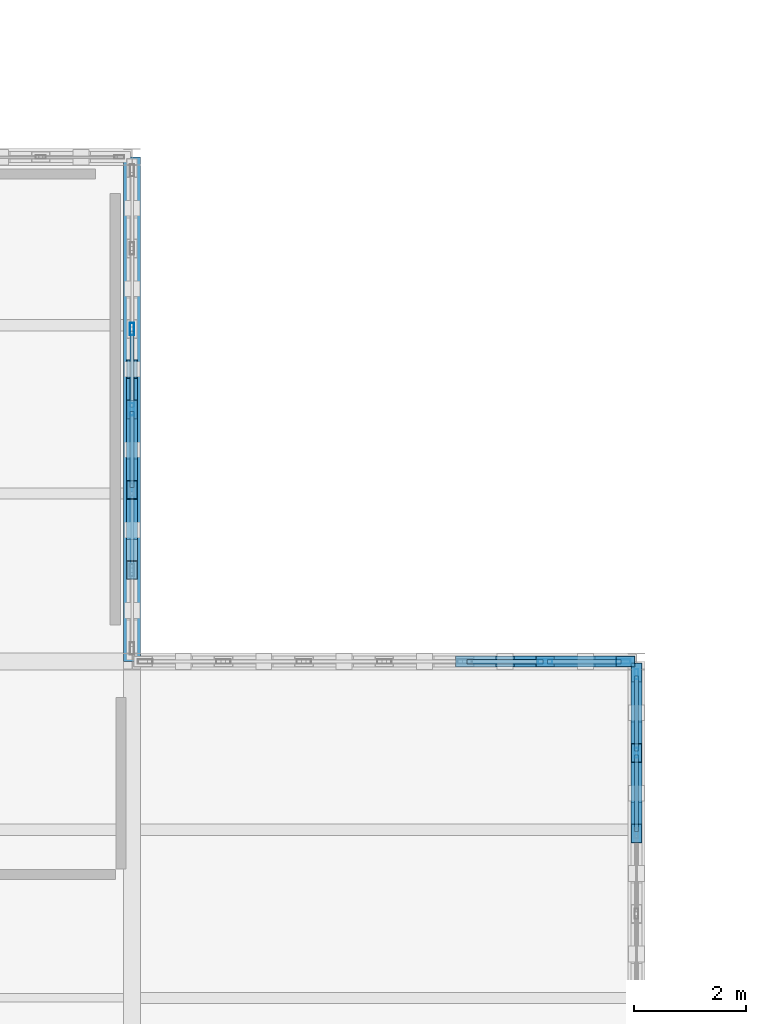
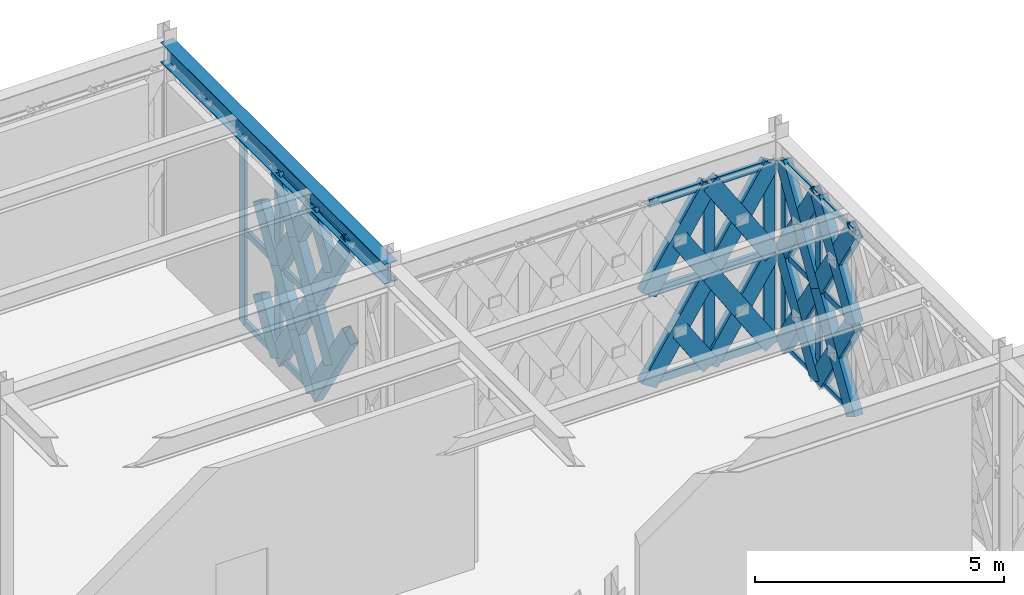
# One storey, part 113 of 155: 58 members, 1 beam, 3 elements without a shape of their own.
"""IFC4 building model written with IfcOpenShell, lengths in metres."""

from ifc_helpers import new_model, si_unit, direction, frame, origin, origin_2d, place, context, subcontext, project, spatial, hollow_rectangle, i_section, extrude, material, material_profile, profile_set, type_object, element, aggregate, save


model = new_model("IFC4")

# Units and contexts
model_context = context("Model", 3, precision=1e-05, world=origin(), true_north=direction((0.0, 1.0)))
body_context = subcontext(model_context, "Body", "Model", "MODEL_VIEW")
ifc_project = project(units=[si_unit("LENGTHUNIT", "METRE"), si_unit("AREAUNIT", "SQUARE_METRE"), si_unit("VOLUMEUNIT", "CUBIC_METRE"), si_unit("PLANEANGLEUNIT", "RADIAN"), si_unit("MASSUNIT", "GRAM", prefix="KILO")], contexts=[model_context])

# Site, building, storey
site_placement = place(None, origin())
site = spatial("IfcSite", under=ifc_project, at=site_placement, CompositionType="ELEMENT")
building_placement = place(site_placement, origin())
building = spatial("IfcBuilding", under=site, at=building_placement, Name="Haizhuo Lancet Aquarium", CompositionType="ELEMENT")
storey_placement = place(building_placement, frame((0.0, 0.0, 10.800048828125)))
storey = spatial("IfcBuildingStorey", under=building, at=storey_placement, Name="L02", CompositionType="ELEMENT", Elevation=10.800048828125)

# Beam
ifc_material_1 = material(Name="Steel S355", Category="steel")
ifc_material_profile_1 = material_profile(ifc_material_1, i_section(OverallWidth=0.300048828125, OverallDepth=0.488037109375, WebThickness=0.010986328125, FlangeThickness=0.01806640625, FilletRadius=0.02392578125, at=origin_2d()), Name="HM 488x300x11x18")
ifc_profile_set_1 = profile_set([ifc_material_profile_1], Name="Steel S355")
beam_type = type_object("IfcBeamType", Name="BM-ST-HM488", PredefinedType="BEAM", material=ifc_profile_set_1)
beam_placement = place(storey_placement, frame((63.0, 27.0, 4.805908203125), z_axis=(0.0, 1.0, 0.0), x_axis=(-1.0, 0.0, 0.0)))
element("IfcBeam", 1, at=beam_placement, inside=storey, type_object=beam_type, Name="L02 V7 primary girder BM-L02-V7-025", PredefinedType="BEAM", context=body_context, shape_type="SweptSolid", body=[
    extrude(i_section(OverallWidth=0.300048828125, OverallDepth=0.488037109375, WebThickness=0.010986328125, FlangeThickness=0.01806640625, FilletRadius=0.02392578125, at=origin_2d()), origin(), (0.0, 0.0, 1.0), 9.0),
])

# Curtain wall, members
ifc_material_2 = material(Name="Aluminium 6063-T6", Category="aluminium")
curtain_wall_type_1 = type_object("IfcCurtainWallType", Name="CWD-8610x4560", PredefinedType="NOTDEFINED", material=ifc_material_2)
curtain_wall_1_placement = place(storey_placement, origin())
curtain_wall_1 = element("IfcCurtainWall", 2, at=curtain_wall_1_placement, inside=storey, type_object=curtain_wall_type_1, Name="L02 curtain wall CW-V7-L02-301", PredefinedType="NOTDEFINED")
ifc_material_profile_2 = material_profile(ifc_material_2, hollow_rectangle(XDim=0.06494140625, YDim=0.179931640625, WallThickness=0.00390625, at=origin_2d()), Name="ALU-M 65x180x4")
ifc_profile_set_2 = profile_set([ifc_material_profile_2], Name="Aluminium 6063-T6")
member_type_1 = type_object("IfcMemberType", Name="CW-MUL-1", PredefinedType="MULLION", material=ifc_profile_set_2)
member_1_placement = place(storey_placement, frame((72.0, 26.77294921875, 0.0), z_axis=(0.0, 0.0, 1.0), x_axis=(1.0, 0.0, 0.0)))
member_1 = element("IfcMember", 3, at=member_1_placement, type_object=member_type_1, Name="CWD-86x45 mullion 1", PredefinedType="MULLION", context=body_context, shape_type="SweptSolid", body=[
    extrude(hollow_rectangle(XDim=0.06494140625, YDim=0.179931640625, WallThickness=0.00390625, at=origin_2d()), origin(), (0.0, 0.0, 1.0), 4.56201171875),
])
member_2_placement = place(storey_placement, frame((72.0, 25.3701171875, 0.0), z_axis=(0.0, 0.0, 1.0), x_axis=(1.0, 0.0, 0.0)))
member_2 = element("IfcMember", 4, at=member_2_placement, type_object=member_type_1, Name="CWD-86x45 mullion 2", PredefinedType="MULLION", context=body_context, shape_type="SweptSolid", body=[
    extrude(hollow_rectangle(XDim=0.06494140625, YDim=0.179931640625, WallThickness=0.00390625, at=origin_2d()), origin(), (0.0, 0.0, 1.0), 4.56201171875),
])

curtain_wall_2_placement = place(storey_placement, origin())
curtain_wall_2 = element("IfcCurtainWall", 5, at=curtain_wall_2_placement, inside=storey, type_object=curtain_wall_type_1, Name="L02 curtain wall CW-V7-L02-299", PredefinedType="NOTDEFINED")
ifc_material_profile_3 = material_profile(ifc_material_2, hollow_rectangle(XDim=0.074951171875, YDim=0.219970703125, WallThickness=0.0048828125, at=origin_2d()), Name="ALU-M 75x220x5")
ifc_profile_set_3 = profile_set([ifc_material_profile_3], Name="Aluminium 6063-T6")
member_type_2 = type_object("IfcMemberType", Name="CW-MUL-2", PredefinedType="MULLION", material=ifc_profile_set_3)
member_3_placement = place(storey_placement, frame((63.0, 32.93505859375, 0.0), z_axis=(0.0, 0.0, 1.0), x_axis=(1.0, 0.0, 0.0)))
member_3 = element("IfcMember", 6, at=member_3_placement, type_object=member_type_2, Name="CWD-86x45 mullion 3", PredefinedType="MULLION", context=body_context, shape_type="SweptSolid", body=[
    extrude(hollow_rectangle(XDim=0.074951171875, YDim=0.219970703125, WallThickness=0.0048828125, at=origin_2d()), origin(), (0.0, 0.0, 1.0), 4.56201171875),
])
member_4_placement = place(storey_placement, frame((63.0, 31.5, 0.0), z_axis=(0.0, 0.0, 1.0), x_axis=(1.0, 0.0, 0.0)))
member_4 = element("IfcMember", 7, at=member_4_placement, type_object=member_type_2, Name="CWD-86x45 mullion 4", PredefinedType="MULLION", context=body_context, shape_type="SweptSolid", body=[
    extrude(hollow_rectangle(XDim=0.074951171875, YDim=0.219970703125, WallThickness=0.0048828125, at=origin_2d()), origin(), (0.0, 0.0, 1.0), 4.56201171875),
])

curtain_wall_type_2 = type_object("IfcCurtainWallType", Name="CWD-8610x4460", PredefinedType="NOTDEFINED", material=ifc_material_2)
curtain_wall_3_placement = place(storey_placement, origin())
curtain_wall_3 = element("IfcCurtainWall", 8, at=curtain_wall_3_placement, inside=storey, type_object=curtain_wall_type_2, Name="L02 curtain wall CW-V7-L02-300", PredefinedType="NOTDEFINED")
ifc_material_profile_4 = material_profile(ifc_material_2, hollow_rectangle(XDim=0.080078125, YDim=0.260009765625, WallThickness=0.0048828125, at=origin_2d()), Name="ALU-M 80x260x5")
ifc_profile_set_4 = profile_set([ifc_material_profile_4], Name="Aluminium 6063-T6")
member_type_3 = type_object("IfcMemberType", Name="CW-MUL-3", PredefinedType="MULLION", material=ifc_profile_set_4)
member_5_placement = place(storey_placement, frame((70.3701171875, 27.0, 0.0), z_axis=(0.0, 0.0, 1.0), x_axis=(0.0, 1.0, 0.0)))
member_5 = element("IfcMember", 9, at=member_5_placement, type_object=member_type_3, Name="CWD-86x44 mullion 6", PredefinedType="MULLION", context=body_context, shape_type="SweptSolid", body=[
    extrude(hollow_rectangle(XDim=0.080078125, YDim=0.260009765625, WallThickness=0.0048828125, at=origin_2d()), origin(), (0.0, 0.0, 1.0), 4.4619140625),
])
member_6_placement = place(storey_placement, frame((71.764892578125, 27.0, 0.0), z_axis=(0.0, 0.0, 1.0), x_axis=(0.0, 1.0, 0.0)))
member_6 = element("IfcMember", 10, at=member_6_placement, type_object=member_type_3, Name="CWD-86x44 mullion 7", PredefinedType="MULLION", context=body_context, shape_type="SweptSolid", body=[
    extrude(hollow_rectangle(XDim=0.080078125, YDim=0.260009765625, WallThickness=0.0048828125, at=origin_2d()), origin(), (0.0, 0.0, 1.0), 4.4619140625),
])

# Member
ifc_material_profile_5 = material_profile(ifc_material_2, hollow_rectangle(XDim=0.06494140625, YDim=0.139892578125, WallThickness=0.00390625, at=origin_2d()), Name="ALU-T 65x140x4")
ifc_profile_set_5 = profile_set([ifc_material_profile_5], Name="Aluminium 6063-T6")
member_type_4 = type_object("IfcMemberType", Name="CW-TRN-1", PredefinedType="NOTDEFINED", material=ifc_profile_set_5)
member_7_placement = place(storey_placement, frame((72.0, 26.739990234375, 0.032958984375), z_axis=(0.0, -1.0, 0.0), x_axis=(1.0, 0.0, 0.0)))
member_7 = element("IfcMember", 11, at=member_7_placement, type_object=member_type_4, Name="CWD-86x45 transom 1.1", ObjectType="TRANSOM", PredefinedType="USERDEFINED", context=body_context, shape_type="SweptSolid", body=[
    extrude(hollow_rectangle(XDim=0.06494140625, YDim=0.139892578125, WallThickness=0.00390625, at=origin_2d()), origin(), (0.0, 0.0, 1.0), 1.337890625),
])

member_8_placement = place(storey_placement, frame((72.0, 26.739990234375, 2.281005859375), z_axis=(0.0, -1.0, 0.0), x_axis=(1.0, 0.0, 0.0)))
member_8 = element("IfcMember", 12, at=member_8_placement, type_object=member_type_4, Name="CWD-86x45 transom 1.2", ObjectType="TRANSOM", PredefinedType="USERDEFINED", context=body_context, shape_type="SweptSolid", body=[
    extrude(hollow_rectangle(XDim=0.06494140625, YDim=0.139892578125, WallThickness=0.00390625, at=origin_2d()), origin(), (0.0, 0.0, 1.0), 1.337890625),
])

member_9_placement = place(storey_placement, frame((72.0, 26.739990234375, 4.529052734375), z_axis=(0.0, -1.0, 0.0), x_axis=(1.0, 0.0, 0.0)))
member_9 = element("IfcMember", 13, at=member_9_placement, type_object=member_type_4, Name="CWD-86x45 transom 1.3", ObjectType="TRANSOM", PredefinedType="USERDEFINED", context=body_context, shape_type="SweptSolid", body=[
    extrude(hollow_rectangle(XDim=0.06494140625, YDim=0.139892578125, WallThickness=0.00390625, at=origin_2d()), origin(), (0.0, 0.0, 1.0), 1.337890625),
])

member_10_placement = place(storey_placement, frame((72.0, 25.3369140625, 0.032958984375), z_axis=(0.0, -1.0, 0.0), x_axis=(1.0, 0.0, 0.0)))
member_10 = element("IfcMember", 14, at=member_10_placement, type_object=member_type_4, Name="CWD-86x45 transom 2.1", ObjectType="TRANSOM", PredefinedType="USERDEFINED", context=body_context, shape_type="SweptSolid", body=[
    extrude(hollow_rectangle(XDim=0.06494140625, YDim=0.139892578125, WallThickness=0.00390625, at=origin_2d()), origin(), (0.0, 0.0, 1.0), 1.368896484375),
])

member_11_placement = place(storey_placement, frame((72.0, 25.3369140625, 2.281005859375), z_axis=(0.0, -1.0, 0.0), x_axis=(1.0, 0.0, 0.0)))
member_11 = element("IfcMember", 15, at=member_11_placement, type_object=member_type_4, Name="CWD-86x45 transom 2.2", ObjectType="TRANSOM", PredefinedType="USERDEFINED", context=body_context, shape_type="SweptSolid", body=[
    extrude(hollow_rectangle(XDim=0.06494140625, YDim=0.139892578125, WallThickness=0.00390625, at=origin_2d()), origin(), (0.0, 0.0, 1.0), 1.368896484375),
])

member_12_placement = place(storey_placement, frame((72.0, 25.3369140625, 4.529052734375), z_axis=(0.0, -1.0, 0.0), x_axis=(1.0, 0.0, 0.0)))
member_12 = element("IfcMember", 16, at=member_12_placement, type_object=member_type_4, Name="CWD-86x45 transom 2.3", ObjectType="TRANSOM", PredefinedType="USERDEFINED", context=body_context, shape_type="SweptSolid", body=[
    extrude(hollow_rectangle(XDim=0.06494140625, YDim=0.139892578125, WallThickness=0.00390625, at=origin_2d()), origin(), (0.0, 0.0, 1.0), 1.368896484375),
])

aggregate(curtain_wall_1, [member_1, member_2, member_7, member_8, member_9, member_10, member_11, member_12])

ifc_material_profile_6 = material_profile(ifc_material_2, hollow_rectangle(XDim=0.074951171875, YDim=0.159912109375, WallThickness=0.00390625, at=origin_2d()), Name="ALU-T 75x160x4")
ifc_profile_set_6 = profile_set([ifc_material_profile_6], Name="Aluminium 6063-T6")
member_type_5 = type_object("IfcMemberType", Name="CW-TRN-2", PredefinedType="NOTDEFINED", material=ifc_profile_set_6)
member_13_placement = place(storey_placement, frame((63.0, 32.89794921875, 0.037841796875), z_axis=(0.0, -1.0, 0.0), x_axis=(1.0, 0.0, 0.0)))
member_13 = element("IfcMember", 17, at=member_13_placement, type_object=member_type_5, Name="CWD-86x45 transom 3.1", ObjectType="TRANSOM", PredefinedType="USERDEFINED", context=body_context, shape_type="SweptSolid", body=[
    extrude(hollow_rectangle(XDim=0.074951171875, YDim=0.159912109375, WallThickness=0.00390625, at=origin_2d()), origin(), (0.0, 0.0, 1.0), 1.35986328125),
])

member_14_placement = place(storey_placement, frame((63.0, 32.89794921875, 2.281005859375), z_axis=(0.0, -1.0, 0.0), x_axis=(1.0, 0.0, 0.0)))
member_14 = element("IfcMember", 18, at=member_14_placement, type_object=member_type_5, Name="CWD-86x45 transom 3.2", ObjectType="TRANSOM", PredefinedType="USERDEFINED", context=body_context, shape_type="SweptSolid", body=[
    extrude(hollow_rectangle(XDim=0.074951171875, YDim=0.159912109375, WallThickness=0.00390625, at=origin_2d()), origin(), (0.0, 0.0, 1.0), 1.35986328125),
])

member_15_placement = place(storey_placement, frame((63.0, 31.4619140625, 0.037841796875), z_axis=(0.0, -1.0, 0.0), x_axis=(1.0, 0.0, 0.0)))
member_15 = element("IfcMember", 19, at=member_15_placement, type_object=member_type_5, Name="CWD-86x45 transom 4.1", ObjectType="TRANSOM", PredefinedType="USERDEFINED", context=body_context, shape_type="SweptSolid", body=[
    extrude(hollow_rectangle(XDim=0.074951171875, YDim=0.159912109375, WallThickness=0.00390625, at=origin_2d()), origin(), (0.0, 0.0, 1.0), 1.35986328125),
])

member_16_placement = place(storey_placement, frame((63.0, 31.4619140625, 2.281005859375), z_axis=(0.0, -1.0, 0.0), x_axis=(1.0, 0.0, 0.0)))
member_16 = element("IfcMember", 20, at=member_16_placement, type_object=member_type_5, Name="CWD-86x45 transom 4.2", ObjectType="TRANSOM", PredefinedType="USERDEFINED", context=body_context, shape_type="SweptSolid", body=[
    extrude(hollow_rectangle(XDim=0.074951171875, YDim=0.159912109375, WallThickness=0.00390625, at=origin_2d()), origin(), (0.0, 0.0, 1.0), 1.35986328125),
])

member_17_placement = place(storey_placement, frame((63.0, 31.4619140625, 4.52490234375), z_axis=(0.0, -1.0, 0.0), x_axis=(1.0, 0.0, 0.0)))
member_17 = element("IfcMember", 21, at=member_17_placement, type_object=member_type_5, Name="CWD-86x45 transom 4.3", ObjectType="TRANSOM", PredefinedType="USERDEFINED", context=body_context, shape_type="SweptSolid", body=[
    extrude(hollow_rectangle(XDim=0.074951171875, YDim=0.159912109375, WallThickness=0.00390625, at=origin_2d()), origin(), (0.0, 0.0, 1.0), 1.35986328125),
])

member_18_placement = place(storey_placement, frame((63.0, 30.027099609375, 4.52490234375), z_axis=(0.0, -1.0, 0.0), x_axis=(1.0, 0.0, 0.0)))
member_18 = element("IfcMember", 22, at=member_18_placement, type_object=member_type_5, Name="CWD-86x45 transom 5.3", ObjectType="TRANSOM", PredefinedType="USERDEFINED", context=body_context, shape_type="SweptSolid", body=[
    extrude(hollow_rectangle(XDim=0.074951171875, YDim=0.159912109375, WallThickness=0.00390625, at=origin_2d()), origin(), (0.0, 0.0, 1.0), 1.359130859375),
])

aggregate(curtain_wall_2, [member_3, member_4, member_13, member_14, member_15, member_16, member_17, member_18])

ifc_material_profile_7 = material_profile(ifc_material_2, hollow_rectangle(XDim=0.080078125, YDim=0.18994140625, WallThickness=0.0048828125, at=origin_2d()), Name="ALU-T 80x190x5")
ifc_profile_set_7 = profile_set([ifc_material_profile_7], Name="Aluminium 6063-T6")
member_type_6 = type_object("IfcMemberType", Name="CW-TRN-3", PredefinedType="NOTDEFINED", material=ifc_profile_set_7)
member_19_placement = place(storey_placement, frame((68.97509765625, 27.0, 0.0400390625), z_axis=(1.0, 0.0, 0.0), x_axis=(0.0, 1.0, 0.0)))
member_19 = element("IfcMember", 23, at=member_19_placement, type_object=member_type_6, Name="CWD-86x44 transom 5.1", ObjectType="TRANSOM", PredefinedType="USERDEFINED", context=body_context, shape_type="SweptSolid", body=[
    extrude(hollow_rectangle(XDim=0.080078125, YDim=0.18994140625, WallThickness=0.0048828125, at=origin_2d()), origin(), (0.0, 0.0, 1.0), 1.35498046875),
])

member_20_placement = place(storey_placement, frame((68.97509765625, 27.0, 2.23095703125), z_axis=(1.0, 0.0, 0.0), x_axis=(0.0, 1.0, 0.0)))
member_20 = element("IfcMember", 24, at=member_20_placement, type_object=member_type_6, Name="CWD-86x44 transom 5.2", ObjectType="TRANSOM", PredefinedType="USERDEFINED", context=body_context, shape_type="SweptSolid", body=[
    extrude(hollow_rectangle(XDim=0.080078125, YDim=0.18994140625, WallThickness=0.0048828125, at=origin_2d()), origin(), (0.0, 0.0, 1.0), 1.35498046875),
])

member_21_placement = place(storey_placement, frame((68.97509765625, 27.0, 4.421875), z_axis=(1.0, 0.0, 0.0), x_axis=(0.0, 1.0, 0.0)))
member_21 = element("IfcMember", 25, at=member_21_placement, type_object=member_type_6, Name="CWD-86x44 transom 5.3", ObjectType="TRANSOM", PredefinedType="USERDEFINED", context=body_context, shape_type="SweptSolid", body=[
    extrude(hollow_rectangle(XDim=0.080078125, YDim=0.18994140625, WallThickness=0.0048828125, at=origin_2d()), origin(), (0.0, 0.0, 1.0), 1.35498046875),
])

member_22_placement = place(storey_placement, frame((70.409912109375, 27.0, 0.0400390625), z_axis=(1.0, 0.0, 0.0), x_axis=(0.0, 1.0, 0.0)))
member_22 = element("IfcMember", 26, at=member_22_placement, type_object=member_type_6, Name="CWD-86x44 transom 6.1", ObjectType="TRANSOM", PredefinedType="USERDEFINED", context=body_context, shape_type="SweptSolid", body=[
    extrude(hollow_rectangle(XDim=0.080078125, YDim=0.18994140625, WallThickness=0.0048828125, at=origin_2d()), origin(), (0.0, 0.0, 1.0), 1.315185546875),
])

member_23_placement = place(storey_placement, frame((70.409912109375, 27.0, 2.23095703125), z_axis=(1.0, 0.0, 0.0), x_axis=(0.0, 1.0, 0.0)))
member_23 = element("IfcMember", 27, at=member_23_placement, type_object=member_type_6, Name="CWD-86x44 transom 6.2", ObjectType="TRANSOM", PredefinedType="USERDEFINED", context=body_context, shape_type="SweptSolid", body=[
    extrude(hollow_rectangle(XDim=0.080078125, YDim=0.18994140625, WallThickness=0.0048828125, at=origin_2d()), origin(), (0.0, 0.0, 1.0), 1.315185546875),
])

member_24_placement = place(storey_placement, frame((70.409912109375, 27.0, 4.421875), z_axis=(1.0, 0.0, 0.0), x_axis=(0.0, 1.0, 0.0)))
member_24 = element("IfcMember", 28, at=member_24_placement, type_object=member_type_6, Name="CWD-86x44 transom 6.3", ObjectType="TRANSOM", PredefinedType="USERDEFINED", context=body_context, shape_type="SweptSolid", body=[
    extrude(hollow_rectangle(XDim=0.080078125, YDim=0.18994140625, WallThickness=0.0048828125, at=origin_2d()), origin(), (0.0, 0.0, 1.0), 1.315185546875),
])

aggregate(curtain_wall_3, [member_5, member_6, member_19, member_20, member_21, member_22, member_23, member_24])

# Members
ifc_material_profile_8 = material_profile(ifc_material_1, hollow_rectangle(XDim=0.199951171875, YDim=0.39990234375, WallThickness=0.011962890625, at=origin_2d()), Name="RHS 200x400x12")
ifc_profile_set_8 = profile_set([ifc_material_profile_8], Name="Steel S355")
member_type_7 = type_object("IfcMemberType", Name="MEM-LB-RHS200x400", PredefinedType="BRACE", material=ifc_profile_set_8)
member_25_placement = place(storey_placement, frame((63.0, 31.5, 0.0), z_axis=(0.0, 0.532649938865, 0.846335656006), x_axis=(-1.0, 0.0, 0.0)))
element("IfcMember", 29, at=member_25_placement, inside=storey, type_object=member_type_7, Name="Gothic lancet split diagonal brace CW-V7-L02-299 5B1", PredefinedType="BRACE", context=body_context, shape_type="SweptSolid", body=[
    extrude(hollow_rectangle(XDim=0.199951171875, YDim=0.39990234375, WallThickness=0.011962890625, at=origin_2d()), origin(), (0.0, 0.0, 1.0), 1.347900390625),
])
member_26_placement = place(storey_placement, frame((63.0, 31.5, 2.281005859375), z_axis=(0.0, 0.532976680835, 0.846129929554), x_axis=(-1.0, 0.0, 0.0)))
element("IfcMember", 30, at=member_26_placement, inside=storey, type_object=member_type_7, Name="Gothic lancet split diagonal brace CW-V7-L02-299 6B1", PredefinedType="BRACE", context=body_context, shape_type="SweptSolid", body=[
    extrude(hollow_rectangle(XDim=0.199951171875, YDim=0.39990234375, WallThickness=0.011962890625, at=origin_2d()), origin(), (0.0, 0.0, 1.0), 1.34716796875),
])
member_27_placement = place(storey_placement, frame((63.0, 31.5, 0.0), z_axis=(0.0, -0.532512886885, 0.846421895571), x_axis=(1.0, 0.0, 0.0)))
element("IfcMember", 31, at=member_27_placement, inside=storey, type_object=member_type_7, Name="Gothic lancet continuous diagonal brace CW-V7-L02-299 7A", PredefinedType="BRACE", context=body_context, shape_type="SweptSolid", body=[
    extrude(hollow_rectangle(XDim=0.199951171875, YDim=0.39990234375, WallThickness=0.011962890625, at=origin_2d()), origin(), (0.0, 0.0, 1.0), 2.69482421875),
])
for number, where, z_axis, x_axis, name in (
    (32, (63.0, 30.06494140625, 0.0), (0.0, 0.532130728354, 0.846662204153), (-1.0, 0.0, 0.0), "Gothic lancet split diagonal brace CW-V7-L02-299 7B1"),
    (33, (63.0, 30.781982421875, 1.140869140625), (0.0, 0.532894965217, 0.846181396656), (-1.0, 0.0, 0.0), "Gothic lancet split diagonal brace CW-V7-L02-299 7B2"),
):
    element("IfcMember", number, at=place(storey_placement, frame(where, z_axis=z_axis, x_axis=x_axis)), inside=storey, type_object=member_type_7, Name=name, PredefinedType="BRACE", context=body_context, shape_type="SweptSolid", body=[
        extrude(hollow_rectangle(XDim=0.199951171875, YDim=0.39990234375, WallThickness=0.011962890625, at=origin_2d()), origin(), (0.0, 0.0, 1.0), 1.347412109375),
    ])
member_28_placement = place(storey_placement, frame((63.0, 31.5, 2.281005859375), z_axis=(0.0, -0.532512886885, 0.846421895571), x_axis=(1.0, 0.0, 0.0)))
element("IfcMember", 34, at=member_28_placement, inside=storey, type_object=member_type_7, Name="Gothic lancet continuous diagonal brace CW-V7-L02-299 8A", PredefinedType="BRACE", context=body_context, shape_type="SweptSolid", body=[
    extrude(hollow_rectangle(XDim=0.199951171875, YDim=0.39990234375, WallThickness=0.011962890625, at=origin_2d()), origin(), (0.0, 0.0, 1.0), 2.69482421875),
])
member_29_placement = place(storey_placement, frame((63.0, 30.06494140625, 2.281005859375), z_axis=(0.0, 0.532457404, 0.846456799208), x_axis=(-1.0, 0.0, 0.0)))
element("IfcMember", 35, at=member_29_placement, inside=storey, type_object=member_type_7, Name="Gothic lancet split diagonal brace CW-V7-L02-299 8B1", PredefinedType="BRACE", context=body_context, shape_type="SweptSolid", body=[
    extrude(hollow_rectangle(XDim=0.199951171875, YDim=0.39990234375, WallThickness=0.011962890625, at=origin_2d()), origin(), (0.0, 0.0, 1.0), 1.3466796875),
])
member_30_placement = place(storey_placement, frame((63.0, 30.781982421875, 3.4208984375), z_axis=(0.0, 0.532568303565, 0.846387028515), x_axis=(-1.0, 0.0, 0.0)))
element("IfcMember", 36, at=member_30_placement, inside=storey, type_object=member_type_7, Name="Gothic lancet split diagonal brace CW-V7-L02-299 8B2", PredefinedType="BRACE", context=body_context, shape_type="SweptSolid", body=[
    extrude(hollow_rectangle(XDim=0.199951171875, YDim=0.39990234375, WallThickness=0.011962890625, at=origin_2d()), origin(), (0.0, 0.0, 1.0), 1.34814453125),
])
member_31_placement = place(storey_placement, frame((63.0, 30.06494140625, 0.0), z_axis=(0.0, -0.532512886885, 0.846421895571), x_axis=(1.0, 0.0, 0.0)))
element("IfcMember", 37, at=member_31_placement, inside=storey, type_object=member_type_7, Name="Gothic lancet continuous diagonal brace CW-V7-L02-299 9A", PredefinedType="BRACE", context=body_context, shape_type="SweptSolid", body=[
    extrude(hollow_rectangle(XDim=0.199951171875, YDim=0.39990234375, WallThickness=0.011962890625, at=origin_2d()), origin(), (0.0, 0.0, 1.0), 2.69482421875),
])
member_32_placement = place(storey_placement, frame((63.0, 29.347900390625, 1.140869140625), z_axis=(0.0, 0.532375704926, 0.846508185905), x_axis=(-1.0, 0.0, 0.0)))
element("IfcMember", 38, at=member_32_placement, inside=storey, type_object=member_type_7, Name="Gothic lancet split diagonal brace CW-V7-L02-299 9B2", PredefinedType="BRACE", context=body_context, shape_type="SweptSolid", body=[
    extrude(hollow_rectangle(XDim=0.199951171875, YDim=0.39990234375, WallThickness=0.011962890625, at=origin_2d()), origin(), (0.0, 0.0, 1.0), 1.346923828125),
])
member_33_placement = place(storey_placement, frame((63.0, 30.06494140625, 2.281005859375), z_axis=(0.0, -0.532512886885, 0.846421895571), x_axis=(1.0, 0.0, 0.0)))
element("IfcMember", 39, at=member_33_placement, inside=storey, type_object=member_type_7, Name="Gothic lancet continuous diagonal brace CW-V7-L02-299 10A", PredefinedType="BRACE", context=body_context, shape_type="SweptSolid", body=[
    extrude(hollow_rectangle(XDim=0.199951171875, YDim=0.39990234375, WallThickness=0.011962890625, at=origin_2d()), origin(), (0.0, 0.0, 1.0), 2.69482421875),
])
member_34_placement = place(storey_placement, frame((63.0, 29.347900390625, 3.4208984375), z_axis=(0.0, 0.532049109697, 0.846713496332), x_axis=(-1.0, 0.0, 0.0)))
element("IfcMember", 40, at=member_34_placement, inside=storey, type_object=member_type_7, Name="Gothic lancet split diagonal brace CW-V7-L02-299 10B2", PredefinedType="BRACE", context=body_context, shape_type="SweptSolid", body=[
    extrude(hollow_rectangle(XDim=0.199951171875, YDim=0.39990234375, WallThickness=0.011962890625, at=origin_2d()), origin(), (0.0, 0.0, 1.0), 1.34765625),
])
member_35_placement = place(storey_placement, frame((68.93505859375, 27.0, 0.0), z_axis=(0.540990153687, 0.0, 0.841028925551), x_axis=(0.0, 1.0, 0.0)))
element("IfcMember", 41, at=member_35_placement, inside=storey, type_object=member_type_7, Name="Gothic lancet continuous diagonal brace CW-V7-L02-300 9A", PredefinedType="BRACE", context=body_context, shape_type="SweptSolid", body=[
    extrude(hollow_rectangle(XDim=0.199951171875, YDim=0.39990234375, WallThickness=0.011962890625, at=origin_2d()), origin(), (0.0, 0.0, 1.0), 2.652587890625),
])
member_36_placement = place(storey_placement, frame((70.3701171875, 27.0, 0.0), z_axis=(-0.540562228578, 0.0, 0.84130403365), x_axis=(0.0, -1.0, 0.0)))
element("IfcMember", 42, at=member_36_placement, inside=storey, type_object=member_type_7, Name="Gothic lancet split diagonal brace CW-V7-L02-300 9B1", PredefinedType="BRACE", context=body_context, shape_type="SweptSolid", body=[
    extrude(hollow_rectangle(XDim=0.199951171875, YDim=0.39990234375, WallThickness=0.011962890625, at=origin_2d()), origin(), (0.0, 0.0, 1.0), 1.326416015625),
])
member_37_placement = place(storey_placement, frame((68.93505859375, 27.0, 2.23095703125), z_axis=(0.540990153687, 0.0, 0.841028925551), x_axis=(0.0, 1.0, 0.0)))
element("IfcMember", 43, at=member_37_placement, inside=storey, type_object=member_type_7, Name="Gothic lancet continuous diagonal brace CW-V7-L02-300 10A", PredefinedType="BRACE", context=body_context, shape_type="SweptSolid", body=[
    extrude(hollow_rectangle(XDim=0.199951171875, YDim=0.39990234375, WallThickness=0.011962890625, at=origin_2d()), origin(), (0.0, 0.0, 1.0), 2.652587890625),
])
member_38_placement = place(storey_placement, frame((70.3701171875, 27.0, 2.23095703125), z_axis=(-0.540897204727, 0.0, 0.841088707521), x_axis=(0.0, -1.0, 0.0)))
element("IfcMember", 44, at=member_38_placement, inside=storey, type_object=member_type_7, Name="Gothic lancet split diagonal brace CW-V7-L02-300 10B1", PredefinedType="BRACE", context=body_context, shape_type="SweptSolid", body=[
    extrude(hollow_rectangle(XDim=0.199951171875, YDim=0.39990234375, WallThickness=0.011962890625, at=origin_2d()), origin(), (0.0, 0.0, 1.0), 1.32568359375),
])
member_39_placement = place(storey_placement, frame((70.3701171875, 27.0, 0.0), z_axis=(0.540925048726, 0.0, 0.841070800623), x_axis=(0.0, 1.0, 0.0)))
element("IfcMember", 45, at=member_39_placement, inside=storey, type_object=member_type_7, Name="Gothic lancet continuous diagonal brace CW-V7-L02-300 11A", PredefinedType="BRACE", context=body_context, shape_type="SweptSolid", body=[
    extrude(hollow_rectangle(XDim=0.199951171875, YDim=0.39990234375, WallThickness=0.011962890625, at=origin_2d()), origin(), (0.0, 0.0, 1.0), 2.652587890625),
])
member_40_placement = place(storey_placement, frame((71.804931640625, 27.0, 0.0), z_axis=(-0.540562228578, 0.0, 0.84130403365), x_axis=(0.0, -1.0, 0.0)))
element("IfcMember", 46, at=member_40_placement, inside=storey, type_object=member_type_7, Name="Gothic lancet split diagonal brace CW-V7-L02-300 11B1", PredefinedType="BRACE", context=body_context, shape_type="SweptSolid", body=[
    extrude(hollow_rectangle(XDim=0.199951171875, YDim=0.39990234375, WallThickness=0.011962890625, at=origin_2d()), origin(), (0.0, 0.0, 1.0), 1.326416015625),
])
member_41_placement = place(storey_placement, frame((71.087890625, 27.0, 1.115966796875), z_axis=(-0.541287884526, 0.0, 0.84083733627), x_axis=(0.0, -1.0, 0.0)))
element("IfcMember", 47, at=member_41_placement, inside=storey, type_object=member_type_7, Name="Gothic lancet split diagonal brace CW-V7-L02-300 11B2", PredefinedType="BRACE", context=body_context, shape_type="SweptSolid", body=[
    extrude(hollow_rectangle(XDim=0.199951171875, YDim=0.39990234375, WallThickness=0.011962890625, at=origin_2d()), origin(), (0.0, 0.0, 1.0), 1.325927734375),
])
member_42_placement = place(storey_placement, frame((70.3701171875, 27.0, 2.23095703125), z_axis=(0.540925048726, 0.0, 0.841070800623), x_axis=(0.0, 1.0, 0.0)))
element("IfcMember", 48, at=member_42_placement, inside=storey, type_object=member_type_7, Name="Gothic lancet continuous diagonal brace CW-V7-L02-300 12A", PredefinedType="BRACE", context=body_context, shape_type="SweptSolid", body=[
    extrude(hollow_rectangle(XDim=0.199951171875, YDim=0.39990234375, WallThickness=0.011962890625, at=origin_2d()), origin(), (0.0, 0.0, 1.0), 2.652587890625),
])
member_43_placement = place(storey_placement, frame((71.804931640625, 27.0, 2.23095703125), z_axis=(-0.540897204727, 0.0, 0.841088707521), x_axis=(0.0, -1.0, 0.0)))
element("IfcMember", 49, at=member_43_placement, inside=storey, type_object=member_type_7, Name="Gothic lancet split diagonal brace CW-V7-L02-300 12B1", PredefinedType="BRACE", context=body_context, shape_type="SweptSolid", body=[
    extrude(hollow_rectangle(XDim=0.199951171875, YDim=0.39990234375, WallThickness=0.011962890625, at=origin_2d()), origin(), (0.0, 0.0, 1.0), 1.32568359375),
])
member_44_placement = place(storey_placement, frame((71.087890625, 27.0, 3.345947265625), z_axis=(-0.540952866584, 0.0, 0.841052909236), x_axis=(0.0, -1.0, 0.0)))
element("IfcMember", 50, at=member_44_placement, inside=storey, type_object=member_type_7, Name="Gothic lancet split diagonal brace CW-V7-L02-300 12B2", PredefinedType="BRACE", context=body_context, shape_type="SweptSolid", body=[
    extrude(hollow_rectangle(XDim=0.199951171875, YDim=0.39990234375, WallThickness=0.011962890625, at=origin_2d()), origin(), (0.0, 0.0, 1.0), 1.326904296875),
])
member_45_placement = place(storey_placement, frame((72.0, 26.804931640625, 0.0), z_axis=(0.0, -0.532447977761, 0.846462728641), x_axis=(1.0, 0.0, 0.0)))
element("IfcMember", 51, at=member_45_placement, inside=storey, type_object=member_type_7, Name="Gothic lancet continuous diagonal brace CW-V7-L02-301 1A", PredefinedType="BRACE", context=body_context, shape_type="SweptSolid", body=[
    extrude(hollow_rectangle(XDim=0.199951171875, YDim=0.39990234375, WallThickness=0.011962890625, at=origin_2d()), origin(), (0.0, 0.0, 1.0), 2.69482421875),
])
for number, where, z_axis, x_axis, name in (
    (52, (72.0, 25.3701171875, 0.0), (0.0, 0.532000831826, 0.846743830764), (-1.0, 0.0, 0.0), "Gothic lancet split diagonal brace CW-V7-L02-301 1B1"),
    (53, (72.0, 26.0869140625, 1.140869140625), (0.0, 0.532894965217, 0.846181396656), (-1.0, 0.0, 0.0), "Gothic lancet split diagonal brace CW-V7-L02-301 1B2"),
):
    element("IfcMember", number, at=place(storey_placement, frame(where, z_axis=z_axis, x_axis=x_axis)), inside=storey, type_object=member_type_7, Name=name, PredefinedType="BRACE", context=body_context, shape_type="SweptSolid", body=[
        extrude(hollow_rectangle(XDim=0.199951171875, YDim=0.39990234375, WallThickness=0.011962890625, at=origin_2d()), origin(), (0.0, 0.0, 1.0), 1.347412109375),
    ])
member_46_placement = place(storey_placement, frame((72.0, 26.804931640625, 2.281005859375), z_axis=(0.0, -0.532447977761, 0.846462728641), x_axis=(1.0, 0.0, 0.0)))
element("IfcMember", 54, at=member_46_placement, inside=storey, type_object=member_type_7, Name="Gothic lancet continuous diagonal brace CW-V7-L02-301 2A", PredefinedType="BRACE", context=body_context, shape_type="SweptSolid", body=[
    extrude(hollow_rectangle(XDim=0.199951171875, YDim=0.39990234375, WallThickness=0.011962890625, at=origin_2d()), origin(), (0.0, 0.0, 1.0), 2.69482421875),
])
member_47_placement = place(storey_placement, frame((72.0, 25.3701171875, 2.281005859375), z_axis=(0.0, 0.532327490763, 0.846538506258), x_axis=(-1.0, 0.0, 0.0)))
element("IfcMember", 55, at=member_47_placement, inside=storey, type_object=member_type_7, Name="Gothic lancet split diagonal brace CW-V7-L02-301 2B1", PredefinedType="BRACE", context=body_context, shape_type="SweptSolid", body=[
    extrude(hollow_rectangle(XDim=0.199951171875, YDim=0.39990234375, WallThickness=0.011962890625, at=origin_2d()), origin(), (0.0, 0.0, 1.0), 1.346435546875),
])
member_48_placement = place(storey_placement, frame((72.0, 26.0869140625, 3.4208984375), z_axis=(0.0, 0.532568303565, 0.846387028515), x_axis=(-1.0, 0.0, 0.0)))
element("IfcMember", 56, at=member_48_placement, inside=storey, type_object=member_type_7, Name="Gothic lancet split diagonal brace CW-V7-L02-301 2B2", PredefinedType="BRACE", context=body_context, shape_type="SweptSolid", body=[
    extrude(hollow_rectangle(XDim=0.199951171875, YDim=0.39990234375, WallThickness=0.011962890625, at=origin_2d()), origin(), (0.0, 0.0, 1.0), 1.34814453125),
])
member_49_placement = place(storey_placement, frame((72.0, 25.3701171875, 0.0), z_axis=(0.0, -0.532512886885, 0.846421895571), x_axis=(1.0, 0.0, 0.0)))
element("IfcMember", 57, at=member_49_placement, inside=storey, type_object=member_type_7, Name="Gothic lancet continuous diagonal brace CW-V7-L02-301 3A", PredefinedType="BRACE", context=body_context, shape_type="SweptSolid", body=[
    extrude(hollow_rectangle(XDim=0.199951171875, YDim=0.39990234375, WallThickness=0.011962890625, at=origin_2d()), origin(), (0.0, 0.0, 1.0), 2.69482421875),
])
for number, where, z_axis, x_axis, name in (
    (58, (72.0, 23.93505859375, 0.0), (0.0, 0.532130728354, 0.846662204153), (-1.0, 0.0, 0.0), "Gothic lancet split diagonal brace CW-V7-L02-301 3B1"),
    (59, (72.0, 24.652099609375, 1.140869140625), (0.0, 0.532894965217, 0.846181396656), (-1.0, 0.0, 0.0), "Gothic lancet split diagonal brace CW-V7-L02-301 3B2"),
):
    element("IfcMember", number, at=place(storey_placement, frame(where, z_axis=z_axis, x_axis=x_axis)), inside=storey, type_object=member_type_7, Name=name, PredefinedType="BRACE", context=body_context, shape_type="SweptSolid", body=[
        extrude(hollow_rectangle(XDim=0.199951171875, YDim=0.39990234375, WallThickness=0.011962890625, at=origin_2d()), origin(), (0.0, 0.0, 1.0), 1.347412109375),
    ])
member_50_placement = place(storey_placement, frame((72.0, 25.3701171875, 2.281005859375), z_axis=(0.0, -0.532512886885, 0.846421895571), x_axis=(1.0, 0.0, 0.0)))
element("IfcMember", 60, at=member_50_placement, inside=storey, type_object=member_type_7, Name="Gothic lancet continuous diagonal brace CW-V7-L02-301 4A", PredefinedType="BRACE", context=body_context, shape_type="SweptSolid", body=[
    extrude(hollow_rectangle(XDim=0.199951171875, YDim=0.39990234375, WallThickness=0.011962890625, at=origin_2d()), origin(), (0.0, 0.0, 1.0), 2.69482421875),
])
member_51_placement = place(storey_placement, frame((72.0, 23.93505859375, 2.281005859375), z_axis=(0.0, 0.532457404, 0.846456799208), x_axis=(-1.0, 0.0, 0.0)))
element("IfcMember", 61, at=member_51_placement, inside=storey, type_object=member_type_7, Name="Gothic lancet split diagonal brace CW-V7-L02-301 4B1", PredefinedType="BRACE", context=body_context, shape_type="SweptSolid", body=[
    extrude(hollow_rectangle(XDim=0.199951171875, YDim=0.39990234375, WallThickness=0.011962890625, at=origin_2d()), origin(), (0.0, 0.0, 1.0), 1.3466796875),
])
member_52_placement = place(storey_placement, frame((72.0, 24.652099609375, 3.4208984375), z_axis=(0.0, 0.532568303565, 0.846387028515), x_axis=(-1.0, 0.0, 0.0)))
element("IfcMember", 62, at=member_52_placement, inside=storey, type_object=member_type_7, Name="Gothic lancet split diagonal brace CW-V7-L02-301 4B2", PredefinedType="BRACE", context=body_context, shape_type="SweptSolid", body=[
    extrude(hollow_rectangle(XDim=0.199951171875, YDim=0.39990234375, WallThickness=0.011962890625, at=origin_2d()), origin(), (0.0, 0.0, 1.0), 1.34814453125),
])

save(model, "model.ifc")
